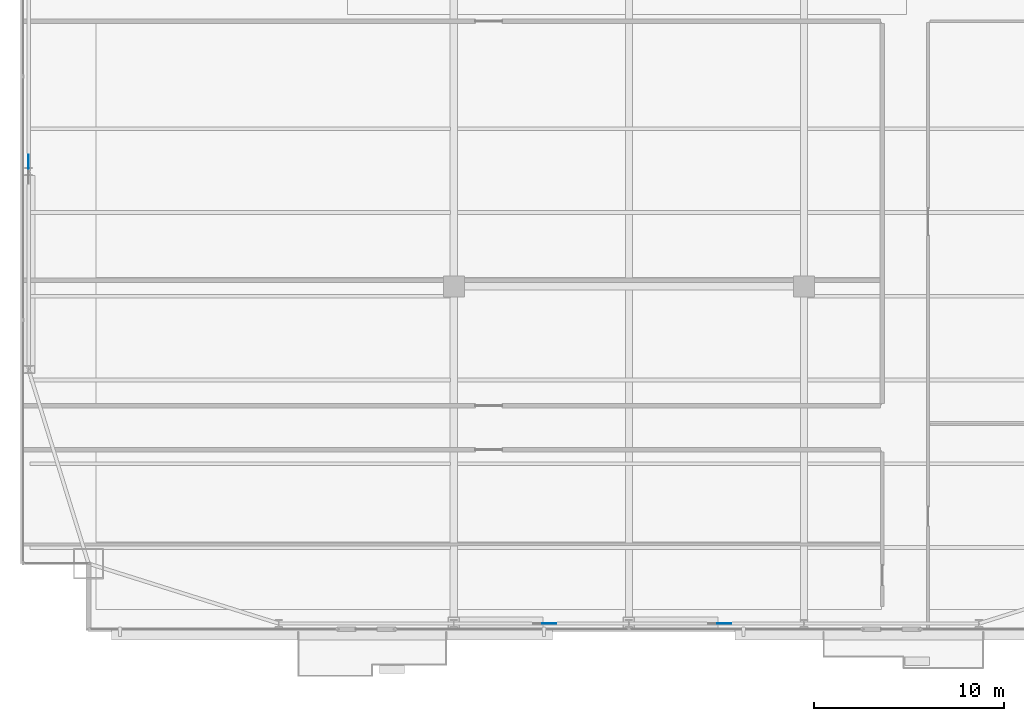
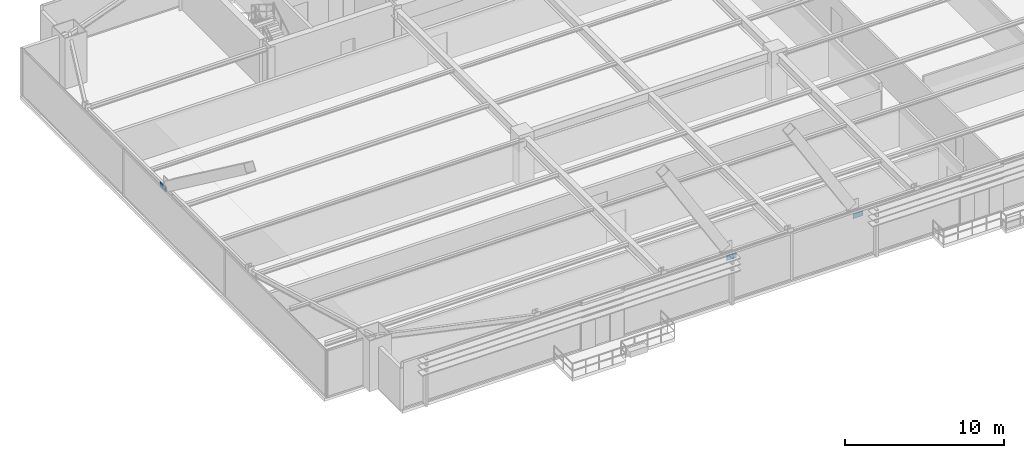
# One storey, part 28 of 34: 3 plates.
"""IFC4 building model written with IfcOpenShell, lengths in metres."""

from ifc_helpers import new_model, si_unit, direction, frame, origin, origin_2d, place, context, subcontext, project, spatial, rectangle, extrude, source, transform, mapped, material, layer, layer_set, type_object, type_shapes, element, save


model = new_model("IFC4")

# Units and contexts
model_context = context("Model", 3, precision=1e-05, world=origin(), true_north=direction((0.0, 1.0)))
body_context = subcontext(model_context, "Body", "Model", "MODEL_VIEW")
ifc_project = project(units=[si_unit("LENGTHUNIT", "METRE"), si_unit("AREAUNIT", "SQUARE_METRE"), si_unit("VOLUMEUNIT", "CUBIC_METRE"), si_unit("PLANEANGLEUNIT", "RADIAN"), si_unit("MASSUNIT", "GRAM", prefix="KILO")], contexts=[model_context])

# Site, building, storey
site_placement = place(None, origin())
site = spatial("IfcSite", under=ifc_project, at=site_placement, CompositionType="ELEMENT")
building_placement = place(site_placement, origin())
building = spatial("IfcBuilding", under=site, at=building_placement, Name="Varnel Quay Broadcast Tower", CompositionType="ELEMENT")
storey_placement = place(building_placement, frame((0.0, 0.0, 47.10009765625)))
storey = spatial("IfcBuildingStorey", under=building, at=storey_placement, Name="L10", CompositionType="ELEMENT", Elevation=47.10009765625)

# Plates
ifc_material = material(Name="Structural Steel CSA G40.21 350WT", Category="steel")
ifc_layer = layer(ifc_material, 0.031982421875, Name="Structural Steel CSA G40.21 350WT")
ifc_layer_set = layer_set([ifc_layer], Name="Structural Steel CSA G40.21 350WT")
plate_type = type_object("IfcPlateType", Name="Plate_EndCap", PredefinedType="USERDEFINED", material=ifc_layer_set)
shared_shape = source(origin(), body_context, "Body", "SweptSolid", [
    extrude(rectangle(XDim=0.719970703125, YDim=0.031982421875, at=origin_2d()), origin(), (0.0, 0.0, 1.0), 0.3798828125),
])
type_shapes(plate_type, [shared_shape])
for number, where, z_axis, x_axis, name in (
    (1, (29.812744140625, 1.64990234375, 2.89794921875), (0.0, 0.0, 1.0), (1.0, 0.0, 0.0), "Zone 1 Mega-Brace S-C1T2 Diag B1 End Connection Plate P1"),
    (2, (39.0126953125, 1.64990234375, 2.89794921875), (0.0, 0.0, 1.0), (1.0, 0.0, 0.0), "Zone 1 Mega-Brace S-C2T2 Diag B1 End Connection Plate P1"),
    (3, (2.449951171875, 25.91845703125, 3.125244140625), (0.0, 0.0, 1.0), (0.0, 1.0, 0.0), "Zone 1 Mega-Brace W-FT2 Diag B1 End Connection Plate P1"),
):
    element("IfcPlate", number, at=place(storey_placement, frame(where, z_axis=z_axis, x_axis=x_axis)), inside=storey, type_object=plate_type, Name=name, ObjectType="CAP_PLATE", PredefinedType="USERDEFINED", context=body_context, shape_type="MappedRepresentation", body=[
        mapped(shared_shape, transform((0.0, 0.0, 0.0), x_axis=(1.0, 0.0, 0.0), y_axis=(0.0, 1.0, 0.0), z_axis=(0.0, 0.0, 1.0), scale=1.0)),
    ])

save(model, "model.ifc")
